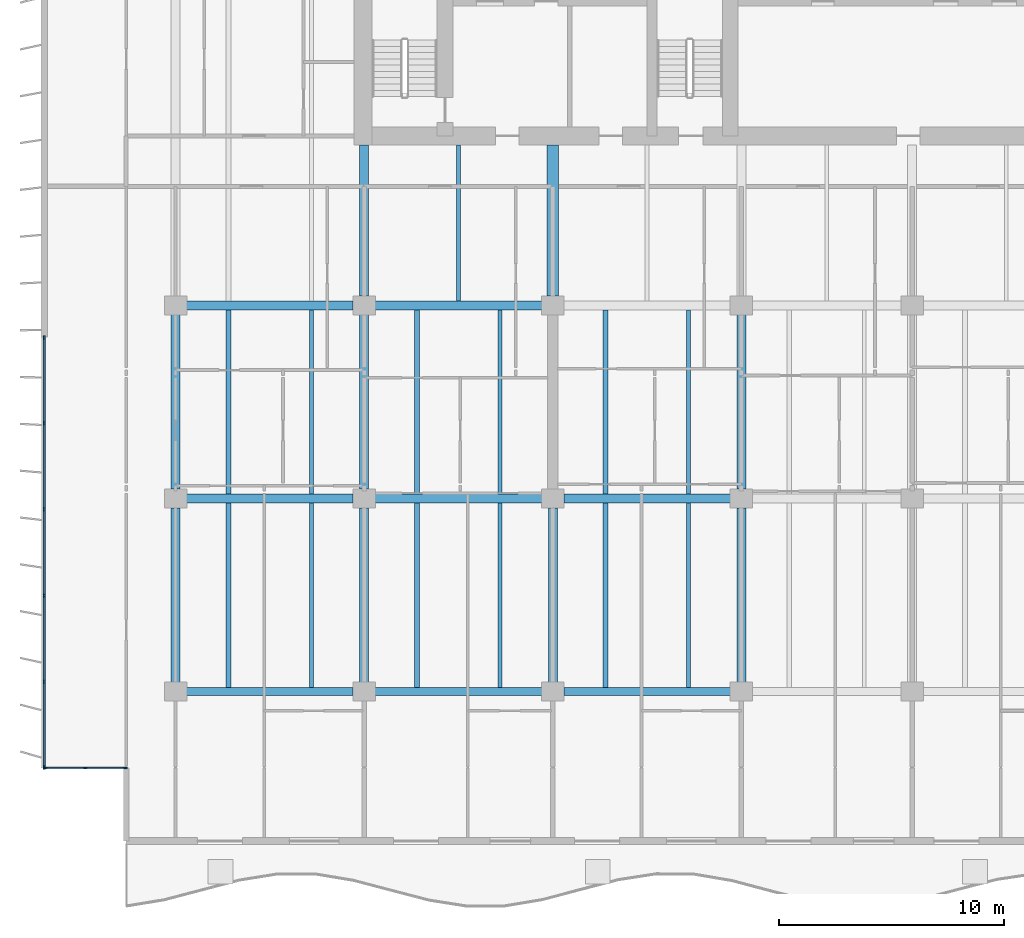
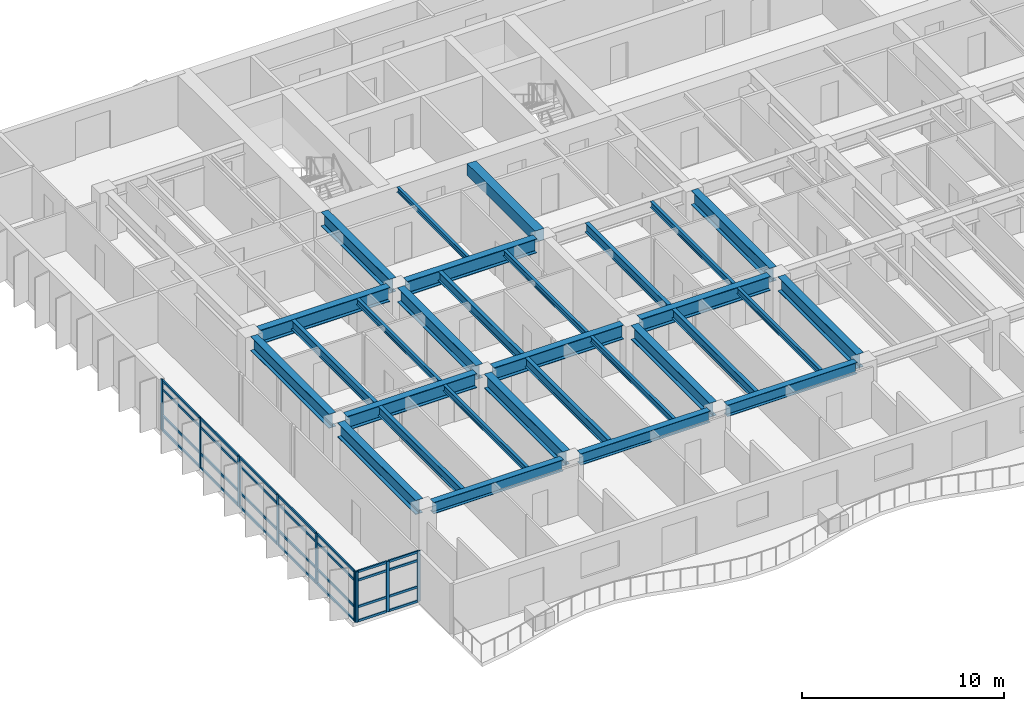
# One storey, part 2 of 18: 37 members, 30 beams, 2 elements without a shape of their own.
"""IFC4 building model written with IfcOpenShell, lengths in metres."""

from ifc_helpers import new_model, si_unit, direction, frame, origin, origin_2d, place, context, subcontext, project, spatial, rectangle, i_section, extrude, material, layer, layer_set, material_profile, profile_set, type_object, element, aggregate, save


model = new_model("IFC4")

# Units and contexts
model_context = context("Model", 3, precision=1e-05, world=origin(), true_north=direction((0.0, 1.0)))
body_context = subcontext(model_context, "Body", "Model", "MODEL_VIEW")
ifc_project = project(units=[si_unit("LENGTHUNIT", "METRE"), si_unit("AREAUNIT", "SQUARE_METRE"), si_unit("VOLUMEUNIT", "CUBIC_METRE"), si_unit("PLANEANGLEUNIT", "RADIAN"), si_unit("MASSUNIT", "GRAM", prefix="KILO")], contexts=[model_context])

# Site, building, storey
site_placement = place(None, origin())
site = spatial("IfcSite", under=ifc_project, at=site_placement, CompositionType="ELEMENT")
building_placement = place(site_placement, origin())
building = spatial("IfcBuilding", under=site, at=building_placement, Name="Caelmar Bay Residences", CompositionType="ELEMENT")
storey_placement = place(building_placement, frame((0.0, 0.0, 125.699951171875)))
storey = spatial("IfcBuildingStorey", under=building, at=storey_placement, Name="L34", CompositionType="ELEMENT", Elevation=125.699951171875)

# Beams
ifc_material_1 = material(Name="Steel ASTM A992 Grade 50", Category="steel")
ifc_material_profile_1 = material_profile(ifc_material_1, i_section(OverallWidth=0.40087890625, OverallDepth=0.861083984375, WebThickness=0.019775390625, FlangeThickness=0.032470703125, FilletRadius=0.017822265625, at=origin_2d()), Name="W33X221")
ifc_profile_set_1 = profile_set([ifc_material_profile_1], Name="Steel ASTM A992 Grade 50")
beam_type_1 = type_object("IfcBeamType", Name="BM-GRD-W33X221", PredefinedType="BEAM", material=ifc_profile_set_1)
beam_1_placement = place(storey_placement, frame((10.389892578125, 20.800048828125, 2.61962890625), z_axis=(1.0, 0.0, 0.0), x_axis=(0.0, 1.0, 0.0)))
element("IfcBeam", 1, at=beam_1_placement, inside=storey, type_object=beam_type_1, Name="L34 East-West Girder Y=20.80 (9.9-18.3)", PredefinedType="BEAM", context=body_context, shape_type="SweptSolid", body=[
    extrude(i_section(OverallWidth=0.40087890625, OverallDepth=0.861083984375, WebThickness=0.019775390625, FlangeThickness=0.032470703125, FilletRadius=0.017822265625, at=origin_2d()), origin(), (0.0, 0.0, 1.0), 7.420166015625),
])
beam_2_placement = place(storey_placement, frame((18.7900390625, 20.800048828125, 2.61962890625), z_axis=(1.0, 0.0, 0.0), x_axis=(0.0, 1.0, 0.0)))
element("IfcBeam", 2, at=beam_2_placement, inside=storey, type_object=beam_type_1, Name="L34 East-West Girder Y=20.80 (18.3-26.7)", PredefinedType="BEAM", context=body_context, shape_type="SweptSolid", body=[
    extrude(i_section(OverallWidth=0.40087890625, OverallDepth=0.861083984375, WebThickness=0.019775390625, FlangeThickness=0.032470703125, FilletRadius=0.017822265625, at=origin_2d()), origin(), (0.0, 0.0, 1.0), 7.419921875),
])
for number, where, z_axis, x_axis, name in (
    (3, (27.18994140625, 20.800048828125, 2.61962890625), (1.0, 0.0, 0.0), (0.0, 1.0, 0.0), "L34 East-West Girder Y=20.80 (26.7-35.1)"),
    (4, (10.389892578125, 29.39990234375, 2.61962890625), (1.0, 0.0, 0.0), (0.0, 1.0, 0.0), "L34 East-West Girder Y=29.40 (9.9-18.3)"),
):
    element("IfcBeam", number, at=place(storey_placement, frame(where, z_axis=z_axis, x_axis=x_axis)), inside=storey, type_object=beam_type_1, Name=name, PredefinedType="BEAM", context=body_context, shape_type="SweptSolid", body=[
        extrude(i_section(OverallWidth=0.40087890625, OverallDepth=0.861083984375, WebThickness=0.019775390625, FlangeThickness=0.032470703125, FilletRadius=0.017822265625, at=origin_2d()), origin(), (0.0, 0.0, 1.0), 7.420166015625),
    ])
beam_3_placement = place(storey_placement, frame((18.7900390625, 29.39990234375, 2.61962890625), z_axis=(1.0, 0.0, 0.0), x_axis=(0.0, 1.0, 0.0)))
element("IfcBeam", 5, at=beam_3_placement, inside=storey, type_object=beam_type_1, Name="L34 East-West Girder Y=29.40 (18.3-26.7)", PredefinedType="BEAM", context=body_context, shape_type="SweptSolid", body=[
    extrude(i_section(OverallWidth=0.40087890625, OverallDepth=0.861083984375, WebThickness=0.019775390625, FlangeThickness=0.032470703125, FilletRadius=0.017822265625, at=origin_2d()), origin(), (0.0, 0.0, 1.0), 7.419921875),
])
for number, where, z_axis, x_axis, name in (
    (6, (9.89990234375, 12.614990234375, 2.61962890625), (0.0, 1.0, 0.0), (-1.0, 0.0, 0.0), "L34 North-South Girder X=9.90 (12.2-20.8)"),
    (7, (9.89990234375, 21.215087890625, 2.61962890625), (0.0, 1.0, 0.0), (-1.0, 0.0, 0.0), "L34 North-South Girder X=9.90 (20.8-29.4)"),
):
    element("IfcBeam", number, at=place(storey_placement, frame(where, z_axis=z_axis, x_axis=x_axis)), inside=storey, type_object=beam_type_1, Name=name, PredefinedType="BEAM", context=body_context, shape_type="SweptSolid", body=[
        extrude(i_section(OverallWidth=0.40087890625, OverallDepth=0.861083984375, WebThickness=0.019775390625, FlangeThickness=0.032470703125, FilletRadius=0.017822265625, at=origin_2d()), origin(), (0.0, 0.0, 1.0), 7.77001953125),
    ])
beam_4_placement = place(storey_placement, frame((18.300048828125, 29.81494140625, 2.61962890625), z_axis=(0.0, 1.0, 0.0), x_axis=(-1.0, 0.0, 0.0)))
element("IfcBeam", 8, at=beam_4_placement, inside=storey, type_object=beam_type_1, Name="L34 Core Tie Girder X=18.30", PredefinedType="BEAM", context=body_context, shape_type="SweptSolid", body=[
    extrude(i_section(OverallWidth=0.40087890625, OverallDepth=0.861083984375, WebThickness=0.019775390625, FlangeThickness=0.032470703125, FilletRadius=0.017822265625, at=origin_2d()), origin(), (0.0, 0.0, 1.0), 6.735107421875),
])
for number, where, z_axis, x_axis, name in (
    (9, (18.300048828125, 12.614990234375, 2.61962890625), (0.0, 1.0, 0.0), (-1.0, 0.0, 0.0), "L34 North-South Girder X=18.30 (12.2-20.8)"),
    (10, (18.300048828125, 21.215087890625, 2.61962890625), (0.0, 1.0, 0.0), (-1.0, 0.0, 0.0), "L34 North-South Girder X=18.30 (20.8-29.4)"),
    (11, (26.699951171875, 12.614990234375, 2.61962890625), (0.0, 1.0, 0.0), (-1.0, 0.0, 0.0), "L34 North-South Girder X=26.70 (12.2-20.8)"),
    (12, (35.10009765625, 12.614990234375, 2.61962890625), (0.0, 1.0, 0.0), (-1.0, 0.0, 0.0), "L34 North-South Girder X=35.10 (12.2-20.8)"),
    (13, (35.10009765625, 21.215087890625, 2.61962890625), (0.0, 1.0, 0.0), (-1.0, 0.0, 0.0), "L34 North-South Girder X=35.10 (20.8-29.4)"),
):
    element("IfcBeam", number, at=place(storey_placement, frame(where, z_axis=z_axis, x_axis=x_axis)), inside=storey, type_object=beam_type_1, Name=name, PredefinedType="BEAM", context=body_context, shape_type="SweptSolid", body=[
        extrude(i_section(OverallWidth=0.40087890625, OverallDepth=0.861083984375, WebThickness=0.019775390625, FlangeThickness=0.032470703125, FilletRadius=0.017822265625, at=origin_2d()), origin(), (0.0, 0.0, 1.0), 7.77001953125),
    ])
ifc_material_profile_2 = material_profile(ifc_material_1, i_section(OverallWidth=0.1650390625, OverallDepth=0.31005859375, WebThickness=0.005859375, FlangeThickness=0.009765625, FilletRadius=0.007568359375, at=origin_2d()), Name="W12X26")
ifc_profile_set_2 = profile_set([ifc_material_profile_2], Name="Steel ASTM A992 Grade 50")
beam_type_2 = type_object("IfcBeamType", Name="BM-JST-W12X26", PredefinedType="JOIST", material=ifc_profile_set_2)
beam_5_placement = place(storey_placement, frame((22.5, 29.6005859375, 2.89501953125), z_axis=(0.0, 1.0, 0.0), x_axis=(-1.0, 0.0, 0.0)))
element("IfcBeam", 14, at=beam_5_placement, inside=storey, type_object=beam_type_2, Name="L34 Core-Band Composite Joist 29", PredefinedType="JOIST", context=body_context, shape_type="SweptSolid", body=[
    extrude(i_section(OverallWidth=0.1650390625, OverallDepth=0.31005859375, WebThickness=0.005859375, FlangeThickness=0.009765625, FilletRadius=0.007568359375, at=origin_2d()), origin(), (0.0, 0.0, 1.0), 6.949462890625),
])
ifc_material_profile_3 = material_profile(ifc_material_1, i_section(OverallWidth=0.1708984375, OverallDepth=0.35595703125, WebThickness=0.007080078125, FlangeThickness=0.01171875, FilletRadius=0.007568359375, at=origin_2d()), Name="W14X34")
ifc_profile_set_3 = profile_set([ifc_material_profile_3], Name="Steel ASTM A992 Grade 50")
beam_type_3 = type_object("IfcBeamType", Name="BM-JST-W14X34", PredefinedType="JOIST", material=ifc_profile_set_3)
for number, where, z_axis, x_axis, name in (
    (15, (15.947998046875, 12.3779296875, 2.8720703125), (0.0, 1.0, 0.0), (-1.0, 0.0, 0.0), "L34 Composite Floor Joist 2"),
    (16, (24.347900390625, 12.3779296875, 2.8720703125), (0.0, 1.0, 0.0), (-1.0, 0.0, 0.0), "L34 Composite Floor Joist 4"),
    (17, (32.748046875, 12.3779296875, 2.8720703125), (0.0, 1.0, 0.0), (-1.0, 0.0, 0.0), "L34 Composite Floor Joist 6"),
):
    element("IfcBeam", number, at=place(storey_placement, frame(where, z_axis=z_axis, x_axis=x_axis)), inside=storey, type_object=beam_type_3, Name=name, PredefinedType="JOIST", context=body_context, shape_type="SweptSolid", body=[
        extrude(i_section(OverallWidth=0.1708984375, OverallDepth=0.35595703125, WebThickness=0.007080078125, FlangeThickness=0.01171875, FilletRadius=0.007568359375, at=origin_2d()), origin(), (0.0, 0.0, 1.0), 8.2216796875),
    ])
for number, where, z_axis, x_axis, name in (
    (18, (15.947998046875, 21.00048828125, 2.8720703125), (0.0, 1.0, 0.0), (-1.0, 0.0, 0.0), "L34 Composite Floor Joist 16"),
    (19, (24.347900390625, 21.00048828125, 2.8720703125), (0.0, 1.0, 0.0), (-1.0, 0.0, 0.0), "L34 Composite Floor Joist 18"),
    (20, (32.748046875, 21.00048828125, 2.8720703125), (0.0, 1.0, 0.0), (-1.0, 0.0, 0.0), "L34 Composite Floor Joist 20"),
):
    element("IfcBeam", number, at=place(storey_placement, frame(where, z_axis=z_axis, x_axis=x_axis)), inside=storey, type_object=beam_type_3, Name=name, PredefinedType="JOIST", context=body_context, shape_type="SweptSolid", body=[
        extrude(i_section(OverallWidth=0.1708984375, OverallDepth=0.35595703125, WebThickness=0.007080078125, FlangeThickness=0.01171875, FilletRadius=0.007568359375, at=origin_2d()), origin(), (0.0, 0.0, 1.0), 8.198974609375),
    ])
ifc_material_profile_4 = material_profile(ifc_material_1, i_section(OverallWidth=0.214111328125, OverallDepth=0.549072265625, WebThickness=0.0146484375, FlangeThickness=0.023681640625, FilletRadius=0.0126953125, at=origin_2d()), Name="W21X93")
ifc_profile_set_4 = profile_set([ifc_material_profile_4], Name="Steel ASTM A992 Grade 50")
beam_type_4 = type_object("IfcBeamType", Name="BM-JST-W21X93", PredefinedType="JOIST", material=ifc_profile_set_4)
for number, where, z_axis, x_axis, name in (
    (21, (12.251953125, 12.3779296875, 2.775634765625), (0.0, 1.0, 0.0), (-1.0, 0.0, 0.0), "L34 Composite Floor Joist 1"),
    (22, (20.652099609375, 12.3779296875, 2.775634765625), (0.0, 1.0, 0.0), (-1.0, 0.0, 0.0), "L34 Composite Floor Joist 3"),
    (23, (29.052001953125, 12.3779296875, 2.775634765625), (0.0, 1.0, 0.0), (-1.0, 0.0, 0.0), "L34 Composite Floor Joist 5"),
):
    element("IfcBeam", number, at=place(storey_placement, frame(where, z_axis=z_axis, x_axis=x_axis)), inside=storey, type_object=beam_type_4, Name=name, PredefinedType="JOIST", context=body_context, shape_type="SweptSolid", body=[
        extrude(i_section(OverallWidth=0.214111328125, OverallDepth=0.549072265625, WebThickness=0.0146484375, FlangeThickness=0.023681640625, FilletRadius=0.0126953125, at=origin_2d()), origin(), (0.0, 0.0, 1.0), 8.2216796875),
    ])
for number, where, z_axis, x_axis, name in (
    (24, (12.251953125, 21.00048828125, 2.775634765625), (0.0, 1.0, 0.0), (-1.0, 0.0, 0.0), "L34 Composite Floor Joist 15"),
    (25, (20.652099609375, 21.00048828125, 2.775634765625), (0.0, 1.0, 0.0), (-1.0, 0.0, 0.0), "L34 Composite Floor Joist 17"),
    (26, (29.052001953125, 21.00048828125, 2.775634765625), (0.0, 1.0, 0.0), (-1.0, 0.0, 0.0), "L34 Composite Floor Joist 19"),
):
    element("IfcBeam", number, at=place(storey_placement, frame(where, z_axis=z_axis, x_axis=x_axis)), inside=storey, type_object=beam_type_4, Name=name, PredefinedType="JOIST", context=body_context, shape_type="SweptSolid", body=[
        extrude(i_section(OverallWidth=0.214111328125, OverallDepth=0.549072265625, WebThickness=0.0146484375, FlangeThickness=0.023681640625, FilletRadius=0.0126953125, at=origin_2d()), origin(), (0.0, 0.0, 1.0), 8.198974609375),
    ])
ifc_material_2 = material(Name="Concrete f'c 55 MPa (8,000 psi)", Category="concrete")
ifc_material_profile_5 = material_profile(ifc_material_2, rectangle(XDim=0.5, YDim=0.699951171875, at=origin_2d()), Name="RC-BM-500X700")
ifc_profile_set_5 = profile_set([ifc_material_profile_5], Name="Concrete f'c 55 MPa (8,000 psi)")
beam_type_5 = type_object("IfcBeamType", Name="BM-RC-500X700", PredefinedType="LINTEL", material=ifc_profile_set_5)
beam_6_placement = place(storey_placement, frame((26.699951171875, 29.81494140625, 2.699951171875), z_axis=(0.0, 1.0, 0.0), x_axis=(-1.0, 0.0, 0.0)))
element("IfcBeam", 27, at=beam_6_placement, inside=storey, type_object=beam_type_5, Name="L34 Shear-Wall Corridor Coupling Lintel W5", PredefinedType="LINTEL", context=body_context, shape_type="SweptSolid", body=[
    extrude(rectangle(XDim=0.5, YDim=0.699951171875, at=origin_2d()), origin(), (0.0, 0.0, 1.0), 6.735107421875),
])
ifc_material_profile_6 = material_profile(ifc_material_1, i_section(OverallWidth=0.35595703125, OverallDepth=0.696044921875, WebThickness=0.015380859375, FlangeThickness=0.02490234375, FilletRadius=0.01513671875, at=origin_2d()), Name="W27X146")
ifc_profile_set_6 = profile_set([ifc_material_profile_6], Name="Steel ASTM A992 Grade 50")
beam_type_6 = type_object("IfcBeamType", Name="BM-SPN-W27X146", PredefinedType="SPANDREL", material=ifc_profile_set_6)
beam_7_placement = place(storey_placement, frame((10.389892578125, 12.199951171875, 2.7021484375), z_axis=(1.0, 0.0, 0.0), x_axis=(0.0, 1.0, 0.0)))
element("IfcBeam", 28, at=beam_7_placement, inside=storey, type_object=beam_type_6, Name="L34 East-West Girder Y=12.20 (9.9-18.3)", PredefinedType="SPANDREL", context=body_context, shape_type="SweptSolid", body=[
    extrude(i_section(OverallWidth=0.35595703125, OverallDepth=0.696044921875, WebThickness=0.015380859375, FlangeThickness=0.02490234375, FilletRadius=0.01513671875, at=origin_2d()), origin(), (0.0, 0.0, 1.0), 7.420166015625),
])
beam_8_placement = place(storey_placement, frame((18.7900390625, 12.199951171875, 2.7021484375), z_axis=(1.0, 0.0, 0.0), x_axis=(0.0, 1.0, 0.0)))
element("IfcBeam", 29, at=beam_8_placement, inside=storey, type_object=beam_type_6, Name="L34 East-West Girder Y=12.20 (18.3-26.7)", PredefinedType="SPANDREL", context=body_context, shape_type="SweptSolid", body=[
    extrude(i_section(OverallWidth=0.35595703125, OverallDepth=0.696044921875, WebThickness=0.015380859375, FlangeThickness=0.02490234375, FilletRadius=0.01513671875, at=origin_2d()), origin(), (0.0, 0.0, 1.0), 7.419921875),
])
beam_9_placement = place(storey_placement, frame((27.18994140625, 12.199951171875, 2.7021484375), z_axis=(1.0, 0.0, 0.0), x_axis=(0.0, 1.0, 0.0)))
element("IfcBeam", 30, at=beam_9_placement, inside=storey, type_object=beam_type_6, Name="L34 East-West Girder Y=12.20 (26.7-35.1)", PredefinedType="SPANDREL", context=body_context, shape_type="SweptSolid", body=[
    extrude(i_section(OverallWidth=0.35595703125, OverallDepth=0.696044921875, WebThickness=0.015380859375, FlangeThickness=0.02490234375, FilletRadius=0.01513671875, at=origin_2d()), origin(), (0.0, 0.0, 1.0), 7.420166015625),
])

# Curtain wall, members
ifc_material_3 = material(Name="Anodised bronze aluminium 6063-T6 and laminated glass", Category="aluminium")
ifc_layer_1 = layer(ifc_material_3, 0.179931640625)
ifc_layer_set_1 = layer_set([ifc_layer_1], Name="Anodised bronze aluminium 6063-T6 and laminated glass")
curtain_wall_type_1 = type_object("IfcCurtainWallType", Name="CW6-NTC", PredefinedType="NOTDEFINED", material=ifc_layer_set_1)
curtain_wall_1_placement = place(storey_placement, origin())
curtain_wall_1 = element("IfcCurtainWall", 31, at=curtain_wall_1_placement, inside=storey, type_object=curtain_wall_type_1, Name="CW6 curtain wall L34", PredefinedType="NOTDEFINED")
ifc_material_4 = material(Name="Anodised bronze aluminium 6063-T6", Category="aluminium")
ifc_material_profile_7 = material_profile(ifc_material_4, rectangle(XDim=0.080078125, YDim=0.179931640625, at=origin_2d()), Name="CWM-80X180")
ifc_profile_set_7 = profile_set([ifc_material_profile_7], Name="Anodised bronze aluminium 6063-T6")
member_type_1 = type_object("IfcMemberType", Name="CWM-180", PredefinedType="MULLION", material=ifc_profile_set_7)
member_1_placement = place(storey_placement, frame((4.090087890625, 8.800048828125, 0.0), z_axis=(0.0, 0.0, 1.0), x_axis=(0.0, 1.0, 0.0)))
member_1 = element("IfcMember", 32, at=member_1_placement, type_object=member_type_1, Name="CW6 mullion 1", PredefinedType="MULLION", context=body_context, shape_type="SweptSolid", body=[
    extrude(rectangle(XDim=0.080078125, YDim=0.179931640625, at=origin_2d()), origin(), (0.0, 0.0, 1.0), 3.050048828125),
])
member_2_placement = place(storey_placement, frame((5.875, 8.800048828125, 0.0), z_axis=(0.0, 0.0, 1.0), x_axis=(0.0, 1.0, 0.0)))
member_2 = element("IfcMember", 33, at=member_2_placement, type_object=member_type_1, Name="CW6 mullion 2", PredefinedType="MULLION", context=body_context, shape_type="SweptSolid", body=[
    extrude(rectangle(XDim=0.080078125, YDim=0.179931640625, at=origin_2d()), origin(), (0.0, 0.0, 1.0), 3.050048828125),
])
member_3_placement = place(storey_placement, frame((7.659912109375, 8.800048828125, 0.0), z_axis=(0.0, 0.0, 1.0), x_axis=(0.0, 1.0, 0.0)))
member_3 = element("IfcMember", 34, at=member_3_placement, type_object=member_type_1, Name="CW6 mullion 3", PredefinedType="MULLION", context=body_context, shape_type="SweptSolid", body=[
    extrude(rectangle(XDim=0.080078125, YDim=0.179931640625, at=origin_2d()), origin(), (0.0, 0.0, 1.0), 3.050048828125),
])

ifc_layer_2 = layer(ifc_material_3, 0.179931640625)
ifc_layer_set_2 = layer_set([ifc_layer_2], Name="Anodised bronze aluminium 6063-T6 and laminated glass")
curtain_wall_type_2 = type_object("IfcCurtainWallType", Name="CW3-Z2", PredefinedType="NOTDEFINED", material=ifc_layer_set_2)
curtain_wall_2_placement = place(storey_placement, origin())
curtain_wall_2 = element("IfcCurtainWall", 35, at=curtain_wall_2_placement, inside=storey, type_object=curtain_wall_type_2, Name="CW3 curtain wall L34", PredefinedType="NOTDEFINED")
member_4_placement = place(storey_placement, frame((4.050048828125, 8.840087890625, 0.0), z_axis=(0.0, 0.0, 1.0), x_axis=(-1.0, 0.0, 0.0)))
member_4 = element("IfcMember", 36, at=member_4_placement, type_object=member_type_1, Name="CW3 mullion 1", PredefinedType="MULLION", context=body_context, shape_type="SweptSolid", body=[
    extrude(rectangle(XDim=0.080078125, YDim=0.179931640625, at=origin_2d()), origin(), (0.0, 0.0, 1.0), 3.050048828125),
])
member_5_placement = place(storey_placement, frame((4.050048828125, 12.639892578125, 0.0), z_axis=(0.0, 0.0, 1.0), x_axis=(-1.0, 0.0, 0.0)))
member_5 = element("IfcMember", 37, at=member_5_placement, type_object=member_type_1, Name="CW3 mullion 2", PredefinedType="MULLION", context=body_context, shape_type="SweptSolid", body=[
    extrude(rectangle(XDim=0.080078125, YDim=0.179931640625, at=origin_2d()), origin(), (0.0, 0.0, 1.0), 3.050048828125),
])
member_6_placement = place(storey_placement, frame((4.050048828125, 16.47998046875, 0.0), z_axis=(0.0, 0.0, 1.0), x_axis=(-1.0, 0.0, 0.0)))
member_6 = element("IfcMember", 38, at=member_6_placement, type_object=member_type_1, Name="CW3 mullion 3", PredefinedType="MULLION", context=body_context, shape_type="SweptSolid", body=[
    extrude(rectangle(XDim=0.080078125, YDim=0.179931640625, at=origin_2d()), origin(), (0.0, 0.0, 1.0), 3.050048828125),
])
member_7_placement = place(storey_placement, frame((4.050048828125, 20.320068359375, 0.0), z_axis=(0.0, 0.0, 1.0), x_axis=(-1.0, 0.0, 0.0)))
member_7 = element("IfcMember", 39, at=member_7_placement, type_object=member_type_1, Name="CW3 mullion 4", PredefinedType="MULLION", context=body_context, shape_type="SweptSolid", body=[
    extrude(rectangle(XDim=0.080078125, YDim=0.179931640625, at=origin_2d()), origin(), (0.0, 0.0, 1.0), 3.050048828125),
])
member_8_placement = place(storey_placement, frame((4.050048828125, 24.159912109375, 0.0), z_axis=(0.0, 0.0, 1.0), x_axis=(-1.0, 0.0, 0.0)))
member_8 = element("IfcMember", 40, at=member_8_placement, type_object=member_type_1, Name="CW3 mullion 5", PredefinedType="MULLION", context=body_context, shape_type="SweptSolid", body=[
    extrude(rectangle(XDim=0.080078125, YDim=0.179931640625, at=origin_2d()), origin(), (0.0, 0.0, 1.0), 3.050048828125),
])
member_9_placement = place(storey_placement, frame((4.050048828125, 27.9599609375, 0.0), z_axis=(0.0, 0.0, 1.0), x_axis=(-1.0, 0.0, 0.0)))
member_9 = element("IfcMember", 41, at=member_9_placement, type_object=member_type_1, Name="CW3 mullion 6", PredefinedType="MULLION", context=body_context, shape_type="SweptSolid", body=[
    extrude(rectangle(XDim=0.080078125, YDim=0.179931640625, at=origin_2d()), origin(), (0.0, 0.0, 1.0), 3.050048828125),
])

# Member
ifc_material_profile_8 = material_profile(ifc_material_4, rectangle(XDim=0.080078125, YDim=0.139892578125, at=origin_2d()), Name="CWT-80X140")
ifc_profile_set_8 = profile_set([ifc_material_profile_8], Name="Anodised bronze aluminium 6063-T6")
member_type_2 = type_object("IfcMemberType", Name="CWT-140", PredefinedType="NOTDEFINED", material=ifc_profile_set_8)
member_10_placement = place(storey_placement, frame((4.1298828125, 8.800048828125, 0.0400390625), z_axis=(1.0, 0.0, 0.0), x_axis=(0.0, 1.0, 0.0)))
member_10 = element("IfcMember", 42, at=member_10_placement, type_object=member_type_2, Name="CW6 transom 1.1", ObjectType="TRANSOM", PredefinedType="USERDEFINED", context=body_context, shape_type="SweptSolid", body=[
    extrude(rectangle(XDim=0.080078125, YDim=0.139892578125, at=origin_2d()), origin(), (0.0, 0.0, 1.0), 1.705078125),
])

member_11_placement = place(storey_placement, frame((4.1298828125, 8.800048828125, 0.900146484375), z_axis=(1.0, 0.0, 0.0), x_axis=(0.0, 1.0, 0.0)))
member_11 = element("IfcMember", 43, at=member_11_placement, type_object=member_type_2, Name="CW6 transom 1.2", ObjectType="TRANSOM", PredefinedType="USERDEFINED", context=body_context, shape_type="SweptSolid", body=[
    extrude(rectangle(XDim=0.080078125, YDim=0.139892578125, at=origin_2d()), origin(), (0.0, 0.0, 1.0), 1.705078125),
])

member_12_placement = place(storey_placement, frame((4.1298828125, 8.800048828125, 2.5), z_axis=(1.0, 0.0, 0.0), x_axis=(0.0, 1.0, 0.0)))
member_12 = element("IfcMember", 44, at=member_12_placement, type_object=member_type_2, Name="CW6 transom 1.3", ObjectType="TRANSOM", PredefinedType="USERDEFINED", context=body_context, shape_type="SweptSolid", body=[
    extrude(rectangle(XDim=0.080078125, YDim=0.139892578125, at=origin_2d()), origin(), (0.0, 0.0, 1.0), 1.705078125),
])

member_13_placement = place(storey_placement, frame((4.1298828125, 8.800048828125, 3.010009765625), z_axis=(1.0, 0.0, 0.0), x_axis=(0.0, 1.0, 0.0)))
member_13 = element("IfcMember", 45, at=member_13_placement, type_object=member_type_2, Name="CW6 transom 1.4", ObjectType="TRANSOM", PredefinedType="USERDEFINED", context=body_context, shape_type="SweptSolid", body=[
    extrude(rectangle(XDim=0.080078125, YDim=0.139892578125, at=origin_2d()), origin(), (0.0, 0.0, 1.0), 1.705078125),
])

member_14_placement = place(storey_placement, frame((5.9150390625, 8.800048828125, 0.0400390625), z_axis=(1.0, 0.0, 0.0), x_axis=(0.0, 1.0, 0.0)))
member_14 = element("IfcMember", 46, at=member_14_placement, type_object=member_type_2, Name="CW6 transom 2.1", ObjectType="TRANSOM", PredefinedType="USERDEFINED", context=body_context, shape_type="SweptSolid", body=[
    extrude(rectangle(XDim=0.080078125, YDim=0.139892578125, at=origin_2d()), origin(), (0.0, 0.0, 1.0), 1.705078125),
])

member_15_placement = place(storey_placement, frame((5.9150390625, 8.800048828125, 0.900146484375), z_axis=(1.0, 0.0, 0.0), x_axis=(0.0, 1.0, 0.0)))
member_15 = element("IfcMember", 47, at=member_15_placement, type_object=member_type_2, Name="CW6 transom 2.2", ObjectType="TRANSOM", PredefinedType="USERDEFINED", context=body_context, shape_type="SweptSolid", body=[
    extrude(rectangle(XDim=0.080078125, YDim=0.139892578125, at=origin_2d()), origin(), (0.0, 0.0, 1.0), 1.705078125),
])

member_16_placement = place(storey_placement, frame((5.9150390625, 8.800048828125, 2.5), z_axis=(1.0, 0.0, 0.0), x_axis=(0.0, 1.0, 0.0)))
member_16 = element("IfcMember", 48, at=member_16_placement, type_object=member_type_2, Name="CW6 transom 2.3", ObjectType="TRANSOM", PredefinedType="USERDEFINED", context=body_context, shape_type="SweptSolid", body=[
    extrude(rectangle(XDim=0.080078125, YDim=0.139892578125, at=origin_2d()), origin(), (0.0, 0.0, 1.0), 1.705078125),
])

member_17_placement = place(storey_placement, frame((5.9150390625, 8.800048828125, 3.010009765625), z_axis=(1.0, 0.0, 0.0), x_axis=(0.0, 1.0, 0.0)))
member_17 = element("IfcMember", 49, at=member_17_placement, type_object=member_type_2, Name="CW6 transom 2.4", ObjectType="TRANSOM", PredefinedType="USERDEFINED", context=body_context, shape_type="SweptSolid", body=[
    extrude(rectangle(XDim=0.080078125, YDim=0.139892578125, at=origin_2d()), origin(), (0.0, 0.0, 1.0), 1.705078125),
])

aggregate(curtain_wall_1, [member_1, member_2, member_3, member_10, member_11, member_12, member_13, member_14, member_15, member_16, member_17])

member_18_placement = place(storey_placement, frame((4.050048828125, 8.8798828125, 0.0400390625), z_axis=(0.0, 1.0, 0.0), x_axis=(-1.0, 0.0, 0.0)))
member_18 = element("IfcMember", 50, at=member_18_placement, type_object=member_type_2, Name="CW3 transom 1.1", ObjectType="TRANSOM", PredefinedType="USERDEFINED", context=body_context, shape_type="SweptSolid", body=[
    extrude(rectangle(XDim=0.080078125, YDim=0.139892578125, at=origin_2d()), origin(), (0.0, 0.0, 1.0), 3.72021484375),
])

member_19_placement = place(storey_placement, frame((4.050048828125, 8.8798828125, 0.900146484375), z_axis=(0.0, 1.0, 0.0), x_axis=(-1.0, 0.0, 0.0)))
member_19 = element("IfcMember", 51, at=member_19_placement, type_object=member_type_2, Name="CW3 transom 1.2", ObjectType="TRANSOM", PredefinedType="USERDEFINED", context=body_context, shape_type="SweptSolid", body=[
    extrude(rectangle(XDim=0.080078125, YDim=0.139892578125, at=origin_2d()), origin(), (0.0, 0.0, 1.0), 3.72021484375),
])

member_20_placement = place(storey_placement, frame((4.050048828125, 8.8798828125, 2.5), z_axis=(0.0, 1.0, 0.0), x_axis=(-1.0, 0.0, 0.0)))
member_20 = element("IfcMember", 52, at=member_20_placement, type_object=member_type_2, Name="CW3 transom 1.3", ObjectType="TRANSOM", PredefinedType="USERDEFINED", context=body_context, shape_type="SweptSolid", body=[
    extrude(rectangle(XDim=0.080078125, YDim=0.139892578125, at=origin_2d()), origin(), (0.0, 0.0, 1.0), 3.72021484375),
])

member_21_placement = place(storey_placement, frame((4.050048828125, 8.8798828125, 3.010009765625), z_axis=(0.0, 1.0, 0.0), x_axis=(-1.0, 0.0, 0.0)))
member_21 = element("IfcMember", 53, at=member_21_placement, type_object=member_type_2, Name="CW3 transom 1.4", ObjectType="TRANSOM", PredefinedType="USERDEFINED", context=body_context, shape_type="SweptSolid", body=[
    extrude(rectangle(XDim=0.080078125, YDim=0.139892578125, at=origin_2d()), origin(), (0.0, 0.0, 1.0), 3.72021484375),
])

member_22_placement = place(storey_placement, frame((4.050048828125, 12.679931640625, 0.0400390625), z_axis=(0.0, 1.0, 0.0), x_axis=(-1.0, 0.0, 0.0)))
member_22 = element("IfcMember", 54, at=member_22_placement, type_object=member_type_2, Name="CW3 transom 2.1", ObjectType="TRANSOM", PredefinedType="USERDEFINED", context=body_context, shape_type="SweptSolid", body=[
    extrude(rectangle(XDim=0.080078125, YDim=0.139892578125, at=origin_2d()), origin(), (0.0, 0.0, 1.0), 3.760009765625),
])

member_23_placement = place(storey_placement, frame((4.050048828125, 12.679931640625, 0.900146484375), z_axis=(0.0, 1.0, 0.0), x_axis=(-1.0, 0.0, 0.0)))
member_23 = element("IfcMember", 55, at=member_23_placement, type_object=member_type_2, Name="CW3 transom 2.2", ObjectType="TRANSOM", PredefinedType="USERDEFINED", context=body_context, shape_type="SweptSolid", body=[
    extrude(rectangle(XDim=0.080078125, YDim=0.139892578125, at=origin_2d()), origin(), (0.0, 0.0, 1.0), 3.760009765625),
])

member_24_placement = place(storey_placement, frame((4.050048828125, 12.679931640625, 2.5), z_axis=(0.0, 1.0, 0.0), x_axis=(-1.0, 0.0, 0.0)))
member_24 = element("IfcMember", 56, at=member_24_placement, type_object=member_type_2, Name="CW3 transom 2.3", ObjectType="TRANSOM", PredefinedType="USERDEFINED", context=body_context, shape_type="SweptSolid", body=[
    extrude(rectangle(XDim=0.080078125, YDim=0.139892578125, at=origin_2d()), origin(), (0.0, 0.0, 1.0), 3.760009765625),
])

member_25_placement = place(storey_placement, frame((4.050048828125, 12.679931640625, 3.010009765625), z_axis=(0.0, 1.0, 0.0), x_axis=(-1.0, 0.0, 0.0)))
member_25 = element("IfcMember", 57, at=member_25_placement, type_object=member_type_2, Name="CW3 transom 2.4", ObjectType="TRANSOM", PredefinedType="USERDEFINED", context=body_context, shape_type="SweptSolid", body=[
    extrude(rectangle(XDim=0.080078125, YDim=0.139892578125, at=origin_2d()), origin(), (0.0, 0.0, 1.0), 3.760009765625),
])

member_26_placement = place(storey_placement, frame((4.050048828125, 16.52001953125, 0.0400390625), z_axis=(0.0, 1.0, 0.0), x_axis=(-1.0, 0.0, 0.0)))
member_26 = element("IfcMember", 58, at=member_26_placement, type_object=member_type_2, Name="CW3 transom 3.1", ObjectType="TRANSOM", PredefinedType="USERDEFINED", context=body_context, shape_type="SweptSolid", body=[
    extrude(rectangle(XDim=0.080078125, YDim=0.139892578125, at=origin_2d()), origin(), (0.0, 0.0, 1.0), 3.760009765625),
])

member_27_placement = place(storey_placement, frame((4.050048828125, 16.52001953125, 0.900146484375), z_axis=(0.0, 1.0, 0.0), x_axis=(-1.0, 0.0, 0.0)))
member_27 = element("IfcMember", 59, at=member_27_placement, type_object=member_type_2, Name="CW3 transom 3.2", ObjectType="TRANSOM", PredefinedType="USERDEFINED", context=body_context, shape_type="SweptSolid", body=[
    extrude(rectangle(XDim=0.080078125, YDim=0.139892578125, at=origin_2d()), origin(), (0.0, 0.0, 1.0), 3.760009765625),
])

member_28_placement = place(storey_placement, frame((4.050048828125, 16.52001953125, 2.5), z_axis=(0.0, 1.0, 0.0), x_axis=(-1.0, 0.0, 0.0)))
member_28 = element("IfcMember", 60, at=member_28_placement, type_object=member_type_2, Name="CW3 transom 3.3", ObjectType="TRANSOM", PredefinedType="USERDEFINED", context=body_context, shape_type="SweptSolid", body=[
    extrude(rectangle(XDim=0.080078125, YDim=0.139892578125, at=origin_2d()), origin(), (0.0, 0.0, 1.0), 3.760009765625),
])

member_29_placement = place(storey_placement, frame((4.050048828125, 16.52001953125, 3.010009765625), z_axis=(0.0, 1.0, 0.0), x_axis=(-1.0, 0.0, 0.0)))
member_29 = element("IfcMember", 61, at=member_29_placement, type_object=member_type_2, Name="CW3 transom 3.4", ObjectType="TRANSOM", PredefinedType="USERDEFINED", context=body_context, shape_type="SweptSolid", body=[
    extrude(rectangle(XDim=0.080078125, YDim=0.139892578125, at=origin_2d()), origin(), (0.0, 0.0, 1.0), 3.760009765625),
])

member_30_placement = place(storey_placement, frame((4.050048828125, 20.360107421875, 0.0400390625), z_axis=(0.0, 1.0, 0.0), x_axis=(-1.0, 0.0, 0.0)))
member_30 = element("IfcMember", 62, at=member_30_placement, type_object=member_type_2, Name="CW3 transom 4.1", ObjectType="TRANSOM", PredefinedType="USERDEFINED", context=body_context, shape_type="SweptSolid", body=[
    extrude(rectangle(XDim=0.080078125, YDim=0.139892578125, at=origin_2d()), origin(), (0.0, 0.0, 1.0), 3.760009765625),
])

member_31_placement = place(storey_placement, frame((4.050048828125, 20.360107421875, 0.900146484375), z_axis=(0.0, 1.0, 0.0), x_axis=(-1.0, 0.0, 0.0)))
member_31 = element("IfcMember", 63, at=member_31_placement, type_object=member_type_2, Name="CW3 transom 4.2", ObjectType="TRANSOM", PredefinedType="USERDEFINED", context=body_context, shape_type="SweptSolid", body=[
    extrude(rectangle(XDim=0.080078125, YDim=0.139892578125, at=origin_2d()), origin(), (0.0, 0.0, 1.0), 3.760009765625),
])

member_32_placement = place(storey_placement, frame((4.050048828125, 20.360107421875, 2.5), z_axis=(0.0, 1.0, 0.0), x_axis=(-1.0, 0.0, 0.0)))
member_32 = element("IfcMember", 64, at=member_32_placement, type_object=member_type_2, Name="CW3 transom 4.3", ObjectType="TRANSOM", PredefinedType="USERDEFINED", context=body_context, shape_type="SweptSolid", body=[
    extrude(rectangle(XDim=0.080078125, YDim=0.139892578125, at=origin_2d()), origin(), (0.0, 0.0, 1.0), 3.760009765625),
])

member_33_placement = place(storey_placement, frame((4.050048828125, 20.360107421875, 3.010009765625), z_axis=(0.0, 1.0, 0.0), x_axis=(-1.0, 0.0, 0.0)))
member_33 = element("IfcMember", 65, at=member_33_placement, type_object=member_type_2, Name="CW3 transom 4.4", ObjectType="TRANSOM", PredefinedType="USERDEFINED", context=body_context, shape_type="SweptSolid", body=[
    extrude(rectangle(XDim=0.080078125, YDim=0.139892578125, at=origin_2d()), origin(), (0.0, 0.0, 1.0), 3.760009765625),
])

member_34_placement = place(storey_placement, frame((4.050048828125, 24.199951171875, 0.0400390625), z_axis=(0.0, 1.0, 0.0), x_axis=(-1.0, 0.0, 0.0)))
member_34 = element("IfcMember", 66, at=member_34_placement, type_object=member_type_2, Name="CW3 transom 5.1", ObjectType="TRANSOM", PredefinedType="USERDEFINED", context=body_context, shape_type="SweptSolid", body=[
    extrude(rectangle(XDim=0.080078125, YDim=0.139892578125, at=origin_2d()), origin(), (0.0, 0.0, 1.0), 3.719970703125),
])

member_35_placement = place(storey_placement, frame((4.050048828125, 24.199951171875, 0.900146484375), z_axis=(0.0, 1.0, 0.0), x_axis=(-1.0, 0.0, 0.0)))
member_35 = element("IfcMember", 67, at=member_35_placement, type_object=member_type_2, Name="CW3 transom 5.2", ObjectType="TRANSOM", PredefinedType="USERDEFINED", context=body_context, shape_type="SweptSolid", body=[
    extrude(rectangle(XDim=0.080078125, YDim=0.139892578125, at=origin_2d()), origin(), (0.0, 0.0, 1.0), 3.719970703125),
])

member_36_placement = place(storey_placement, frame((4.050048828125, 24.199951171875, 2.5), z_axis=(0.0, 1.0, 0.0), x_axis=(-1.0, 0.0, 0.0)))
member_36 = element("IfcMember", 68, at=member_36_placement, type_object=member_type_2, Name="CW3 transom 5.3", ObjectType="TRANSOM", PredefinedType="USERDEFINED", context=body_context, shape_type="SweptSolid", body=[
    extrude(rectangle(XDim=0.080078125, YDim=0.139892578125, at=origin_2d()), origin(), (0.0, 0.0, 1.0), 3.719970703125),
])

member_37_placement = place(storey_placement, frame((4.050048828125, 24.199951171875, 3.010009765625), z_axis=(0.0, 1.0, 0.0), x_axis=(-1.0, 0.0, 0.0)))
member_37 = element("IfcMember", 69, at=member_37_placement, type_object=member_type_2, Name="CW3 transom 5.4", ObjectType="TRANSOM", PredefinedType="USERDEFINED", context=body_context, shape_type="SweptSolid", body=[
    extrude(rectangle(XDim=0.080078125, YDim=0.139892578125, at=origin_2d()), origin(), (0.0, 0.0, 1.0), 3.719970703125),
])

aggregate(curtain_wall_2, [member_4, member_5, member_6, member_7, member_8, member_9, member_18, member_19, member_20, member_21, member_22, member_23, member_24, member_25, member_26, member_27, member_28, member_29, member_30, member_31, member_32, member_33, member_34, member_35, member_36, member_37])

save(model, "model.ifc")
